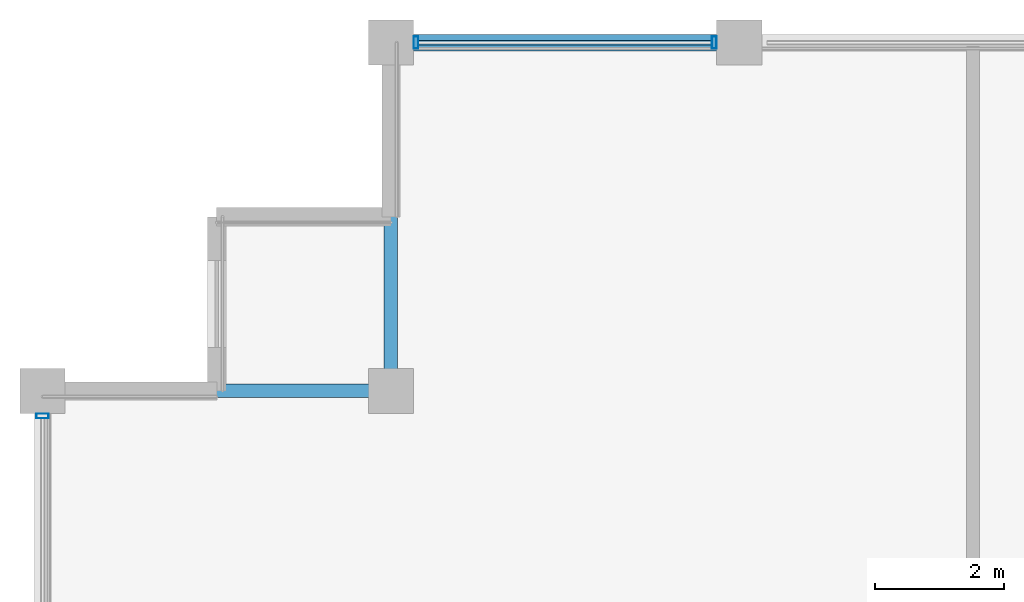
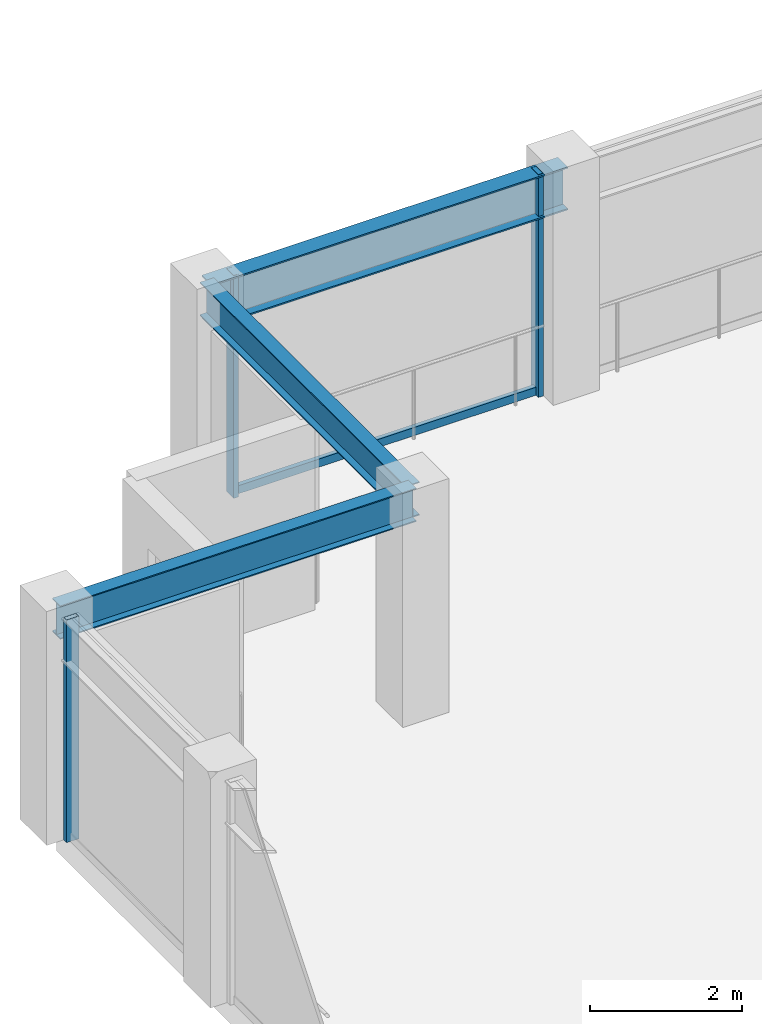
# One storey, part 16 of 34: 4 members, 3 beams, 2 elements without a shape of their own.
"""IFC4 building model written with IfcOpenShell, lengths in metres."""

from ifc_helpers import new_model, si_unit, direction, frame, origin, origin_2d, place, context, subcontext, project, spatial, hollow_rectangle, i_section, extrude, material, layer, layer_set, material_profile, profile_set, type_object, element, aggregate, save


model = new_model("IFC4")

# Units and contexts
model_context = context("Model", 3, precision=1e-05, world=origin(), true_north=direction((0.0, 1.0)))
body_context = subcontext(model_context, "Body", "Model", "MODEL_VIEW")
ifc_project = project(units=[si_unit("LENGTHUNIT", "METRE"), si_unit("AREAUNIT", "SQUARE_METRE"), si_unit("VOLUMEUNIT", "CUBIC_METRE"), si_unit("PLANEANGLEUNIT", "RADIAN"), si_unit("MASSUNIT", "GRAM", prefix="KILO")], contexts=[model_context])

# Site, building, storey
site_placement = place(None, origin())
site = spatial("IfcSite", under=ifc_project, at=site_placement, CompositionType="ELEMENT")
building_placement = place(site_placement, origin())
building = spatial("IfcBuilding", under=site, at=building_placement, Name="Surkhivell Harbour Commons", CompositionType="ELEMENT")
storey_placement = place(building_placement, frame((0.0, 0.0, 258.75)))
storey = spatial("IfcBuildingStorey", under=building, at=storey_placement, Name="L67", CompositionType="ELEMENT", Elevation=258.75)

# Beams
ifc_material_1 = material(Name="Steel S355", Category="steel")
ifc_material_profile_1 = material_profile(ifc_material_1, i_section(OverallWidth=0.2099609375, OverallDepth=0.537109375, WebThickness=0.0107421875, FlangeThickness=0.017333984375, at=origin_2d()), Name="UB533x210x101")
ifc_profile_set_1 = profile_set([ifc_material_profile_1], Name="Steel S355")
beam_type_1 = type_object("IfcBeamType", Name="BM-GRD-533B", PredefinedType="BEAM", material=ifc_profile_set_1)
for number, where, z_axis, x_axis, name in (
    (1, (-27.0, 20.5, 3.301513671875), (1.0, 0.0, 0.0), (0.0, 1.0, 0.0), "L67 Floor Girder (-27.0,20.5)"),
    (2, (-21.60009765625, 20.5, 3.301513671875), (0.0, 1.0, 0.0), (-1.0, 0.0, 0.0), "L67 Floor Girder (-21.6,20.5)"),
):
    element("IfcBeam", number, at=place(storey_placement, frame(where, z_axis=z_axis, x_axis=x_axis)), inside=storey, type_object=beam_type_1, Name=name, PredefinedType="BEAM", context=body_context, shape_type="SweptSolid", body=[
        extrude(i_section(OverallWidth=0.2099609375, OverallDepth=0.537109375, WebThickness=0.0107421875, FlangeThickness=0.017333984375, at=origin_2d()), origin(), (0.0, 0.0, 1.0), 5.39990234375),
    ])
ifc_material_profile_2 = material_profile(ifc_material_1, i_section(OverallWidth=0.256103515625, OverallDepth=0.693115234375, WebThickness=0.014404296875, FlangeThickness=0.023681640625, at=origin_2d()), Name="UB686x254x170")
ifc_profile_set_2 = profile_set([ifc_material_profile_2], Name="Steel S355")
beam_type_2 = type_object("IfcBeamType", Name="BM-SPN-686", PredefinedType="SPANDREL", material=ifc_profile_set_2)
beam_placement = place(storey_placement, frame((-21.60009765625, 25.89990234375, 3.223388671875), z_axis=(1.0, 0.0, 0.0), x_axis=(0.0, 1.0, 0.0)))
element("IfcBeam", 3, at=beam_placement, inside=storey, type_object=beam_type_2, Name="L67 Tube Spandrel (-21.6,25.9)", PredefinedType="SPANDREL", context=body_context, shape_type="SweptSolid", body=[
    extrude(i_section(OverallWidth=0.256103515625, OverallDepth=0.693115234375, WebThickness=0.014404296875, FlangeThickness=0.023681640625, at=origin_2d()), origin(), (0.0, 0.0, 1.0), 5.400146484375),
])

# Curtain wall, members
ifc_material_2 = material(Name="Anodised pale-metal aluminium and insulated glazing", Category="aluminium")
ifc_layer = layer(ifc_material_2, 0.175048828125)
ifc_layer_set = layer_set([ifc_layer], Name="Anodised pale-metal aluminium and insulated glazing")
curtain_wall_type = type_object("IfcCurtainWallType", Name="CW-SYS-Z4", PredefinedType="NOTDEFINED", material=ifc_layer_set)
curtain_wall_1_placement = place(storey_placement, origin())
curtain_wall_1 = element("IfcCurtainWall", 4, at=curtain_wall_1_placement, inside=storey, type_object=curtain_wall_type, Name="L67 Curtain Wall CW-L67-E07S2", PredefinedType="NOTDEFINED")
ifc_material_3 = material(Name="Anodised pale-metal aluminium alloy 6063-T6", Category="aluminium")
ifc_material_profile_3 = material_profile(ifc_material_3, hollow_rectangle(XDim=0.074951171875, YDim=0.18994140625, WallThickness=0.00390625, at=origin_2d()), Name="ALU-MULL-75x190")
ifc_profile_set_3 = profile_set([ifc_material_profile_3], Name="Anodised pale-metal aluminium alloy 6063-T6")
member_type_1 = type_object("IfcMemberType", Name="CWM-190", PredefinedType="MULLION", material=ifc_profile_set_3)
member_1_placement = place(storey_placement, frame((-16.589599609375, 25.89990234375, 0.0), z_axis=(0.0, 0.0, 1.0), x_axis=(-1.0, 0.0, 0.0)))
member_1 = element("IfcMember", 5, at=member_1_placement, type_object=member_type_1, Name="CW-Z4 mullion 3", PredefinedType="MULLION", context=body_context, shape_type="SweptSolid", body=[
    extrude(hollow_rectangle(XDim=0.074951171875, YDim=0.18994140625, WallThickness=0.00390625, at=origin_2d()), origin(), (0.0, 0.0, 1.0), 3.570068359375),
])
member_2_placement = place(storey_placement, frame((-21.21044921875, 25.89990234375, 0.0), z_axis=(0.0, 0.0, 1.0), x_axis=(-1.0, 0.0, 0.0)))
member_2 = element("IfcMember", 6, at=member_2_placement, type_object=member_type_1, Name="CW-Z4 mullion 4", PredefinedType="MULLION", context=body_context, shape_type="SweptSolid", body=[
    extrude(hollow_rectangle(XDim=0.074951171875, YDim=0.18994140625, WallThickness=0.00390625, at=origin_2d()), origin(), (0.0, 0.0, 1.0), 3.570068359375),
])

# Curtain wall, member
curtain_wall_2_placement = place(storey_placement, origin())
curtain_wall_2 = element("IfcCurtainWall", 7, at=curtain_wall_2_placement, inside=storey, type_object=curtain_wall_type, Name="L67 Curtain Wall CW-L67-E12S1", PredefinedType="NOTDEFINED")
member_3_placement = place(storey_placement, frame((-27.0, 20.110595703125, 0.0), z_axis=(0.0, 0.0, 1.0), x_axis=(0.0, -1.0, 0.0)))
member_3 = element("IfcMember", 8, at=member_3_placement, type_object=member_type_1, Name="CW-Z4 mullion 1", PredefinedType="MULLION", context=body_context, shape_type="SweptSolid", body=[
    extrude(hollow_rectangle(XDim=0.074951171875, YDim=0.18994140625, WallThickness=0.00390625, at=origin_2d()), origin(), (0.0, 0.0, 1.0), 3.570068359375),
])
aggregate(curtain_wall_2, [member_3])

# Member
ifc_material_4 = material(Name="Champagne anodised aluminium alloy 6063-T6", Category="aluminium")
ifc_material_profile_4 = material_profile(ifc_material_4, hollow_rectangle(XDim=0.070068359375, YDim=0.1298828125, WallThickness=0.00341796875, at=origin_2d()), Name="ALU-TRAN-70x130")
ifc_profile_set_4 = profile_set([ifc_material_profile_4], Name="Champagne anodised aluminium alloy 6063-T6")
member_type_2 = type_object("IfcMemberType", Name="CWT-130", PredefinedType="USERDEFINED", material=ifc_profile_set_4)
member_4_placement = place(storey_placement, frame((-16.626953125, 25.89990234375, 0.06494140625), z_axis=(-1.0, 0.0, 0.0), x_axis=(0.0, -1.0, 0.0)))
member_4 = element("IfcMember", 9, at=member_4_placement, type_object=member_type_2, Name="CW-Z4 transom 3.1", ObjectType="TRANSOM", PredefinedType="USERDEFINED", context=body_context, shape_type="SweptSolid", body=[
    extrude(hollow_rectangle(XDim=0.070068359375, YDim=0.1298828125, WallThickness=0.00341796875, at=origin_2d()), origin(), (0.0, 0.0, 1.0), 4.546142578125),
])

aggregate(curtain_wall_1, [member_1, member_2, member_4])

save(model, "model.ifc")
